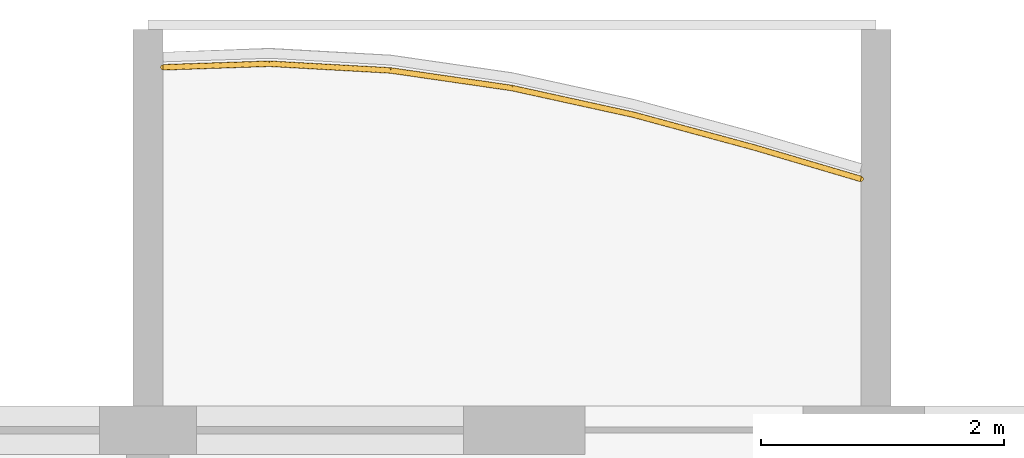
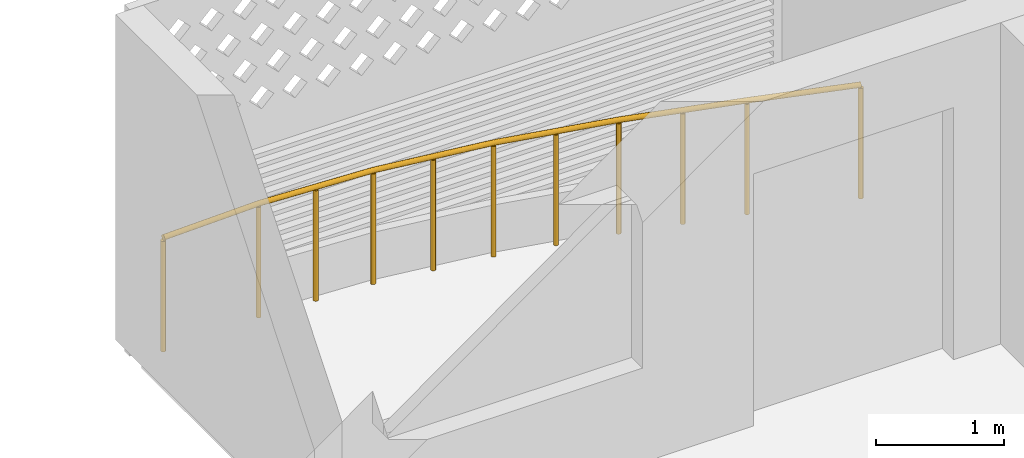
# One storey, part 20 of 26: 1 railing.
"""IFC4 building model written with IfcOpenShell, lengths in metres."""

from ifc_helpers import new_model, si_unit, direction, frame, origin, origin_2d, place, context, subcontext, project, spatial, circle, extrude, material, type_object, element, save


model = new_model("IFC4")

# Units and contexts
model_context = context("Model", 3, precision=1e-05, world=origin(), true_north=direction((0.0, 1.0)))
body_context = subcontext(model_context, "Body", "Model", "MODEL_VIEW")
ifc_project = project(units=[si_unit("LENGTHUNIT", "METRE"), si_unit("AREAUNIT", "SQUARE_METRE"), si_unit("VOLUMEUNIT", "CUBIC_METRE"), si_unit("PLANEANGLEUNIT", "RADIAN"), si_unit("MASSUNIT", "GRAM", prefix="KILO")], contexts=[model_context])

# Site, building, storey
site_placement = place(None, origin())
site = spatial("IfcSite", under=ifc_project, at=site_placement, CompositionType="ELEMENT")
building_placement = place(site_placement, origin())
building = spatial("IfcBuilding", under=site, at=building_placement, Name="Poui Terraces", CompositionType="ELEMENT")
storey_placement = place(building_placement, frame((0.0, 0.0, 96.0)))
storey = spatial("IfcBuildingStorey", under=building, at=storey_placement, Name="L26", CompositionType="ELEMENT", Elevation=96.0)

# Railing
ifc_material = material(Name="Painted steel fretwork", Category="steel")
railing_type = type_object("IfcRailingType", Name="BALCONY GUARD 1100", PredefinedType="GUARDRAIL", material=ifc_material)
railing_placement = place(storey_placement, frame((24.125, 46.590087890625, 0.0)))
element("IfcRailing", 1, at=railing_placement, inside=storey, type_object=railing_type, Name="BALCONY GUARD", PredefinedType="GUARDRAIL", context=body_context, shape_type="SweptSolid", body=[
    extrude(circle(Radius=0.02392578125, at=origin_2d()), frame((0.0, 0.0, 1.076171875), z_axis=(0.999430578744, 0.033741936392, 0.0), x_axis=(-0.033741936392, 0.999430578744, 0.0)), (0.0, 0.0, 1.0), 0.87548828125),
    extrude(circle(Radius=0.02392578125, at=origin_2d()), frame((0.875, 0.029541015625, 1.076171875), z_axis=(0.998467844587, -0.055335009942, 0.0), x_axis=(0.055335009942, 0.998467844587, 0.0)), (0.0, 0.0, 1.0), 1.00146484375),
    extrude(circle(Radius=0.02392578125, at=origin_2d()), frame((1.875, -0.02587890625, 1.076171875), z_axis=(0.989647671833, -0.143518241472, 0.0), x_axis=(0.143518241472, 0.989647671833, 0.0)), (0.0, 0.0, 1.0), 1.010498046875),
    extrude(circle(Radius=0.02392578125, at=origin_2d()), frame((2.875, -0.1708984375, 1.076171875), z_axis=(0.97675043296, -0.214379550593, 0.0), x_axis=(0.214379550593, 0.97675043296, 0.0)), (0.0, 0.0, 1.0), 1.023681640625),
    extrude(circle(Radius=0.02392578125, at=origin_2d()), frame((3.875, -0.390380859375, 1.076171875), z_axis=(0.965127211662, -0.261781331093, 0.0), x_axis=(0.261781331093, 0.965127211662, 0.0)), (0.0, 0.0, 1.0), 1.0361328125),
    extrude(circle(Radius=0.02392578125, at=origin_2d()), frame((4.875, -0.66162109375, 1.076171875), z_axis=(0.959083787793, -0.283122390481, 0.0), x_axis=(0.283122390481, 0.959083787793, 0.0)), (0.0, 0.0, 1.0), 0.912353515625),
    extrude(circle(Radius=0.02099609375, at=origin_2d()), origin(), (0.0, 0.0, 1.0), 1.052001953125),
    extrude(circle(Radius=0.02099609375, at=origin_2d()), frame((0.875, 0.029541015625, 0.0)), (0.0, 0.0, 1.0), 1.052001953125),
    extrude(circle(Radius=0.02099609375, at=origin_2d()), frame((1.375, 0.001953125, 0.0)), (0.0, 0.0, 1.0), 1.052001953125),
    extrude(circle(Radius=0.02099609375, at=origin_2d()), frame((1.875, -0.02587890625, 0.0)), (0.0, 0.0, 1.0), 1.052001953125),
    extrude(circle(Radius=0.02099609375, at=origin_2d()), frame((2.375, -0.098388671875, 0.0)), (0.0, 0.0, 1.0), 1.052001953125),
    extrude(circle(Radius=0.02099609375, at=origin_2d()), frame((2.875, -0.1708984375, 0.0)), (0.0, 0.0, 1.0), 1.052001953125),
    extrude(circle(Radius=0.02099609375, at=origin_2d()), frame((3.375, -0.28076171875, 0.0)), (0.0, 0.0, 1.0), 1.052001953125),
    extrude(circle(Radius=0.02099609375, at=origin_2d()), frame((3.875, -0.390380859375, 0.0)), (0.0, 0.0, 1.0), 1.052001953125),
    extrude(circle(Radius=0.02099609375, at=origin_2d()), frame((4.375, -0.52587890625, 0.0)), (0.0, 0.0, 1.0), 1.052001953125),
    extrude(circle(Radius=0.02099609375, at=origin_2d()), frame((4.875, -0.66162109375, 0.0)), (0.0, 0.0, 1.0), 1.052001953125),
    extrude(circle(Radius=0.02099609375, at=origin_2d()), frame((5.75, -0.919921875, 0.0)), (0.0, 0.0, 1.0), 1.052001953125),
])

save(model, "model.ifc")
